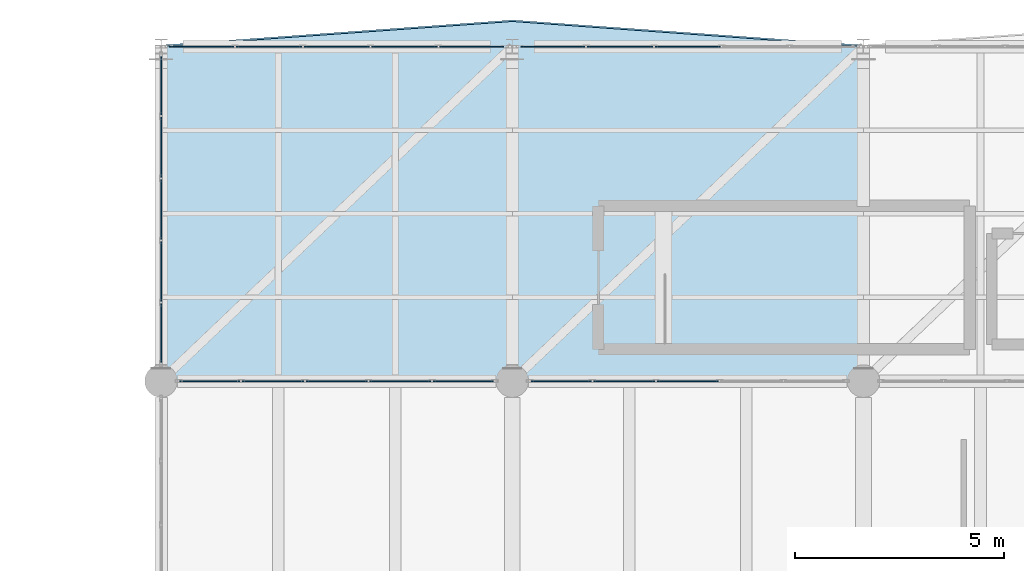
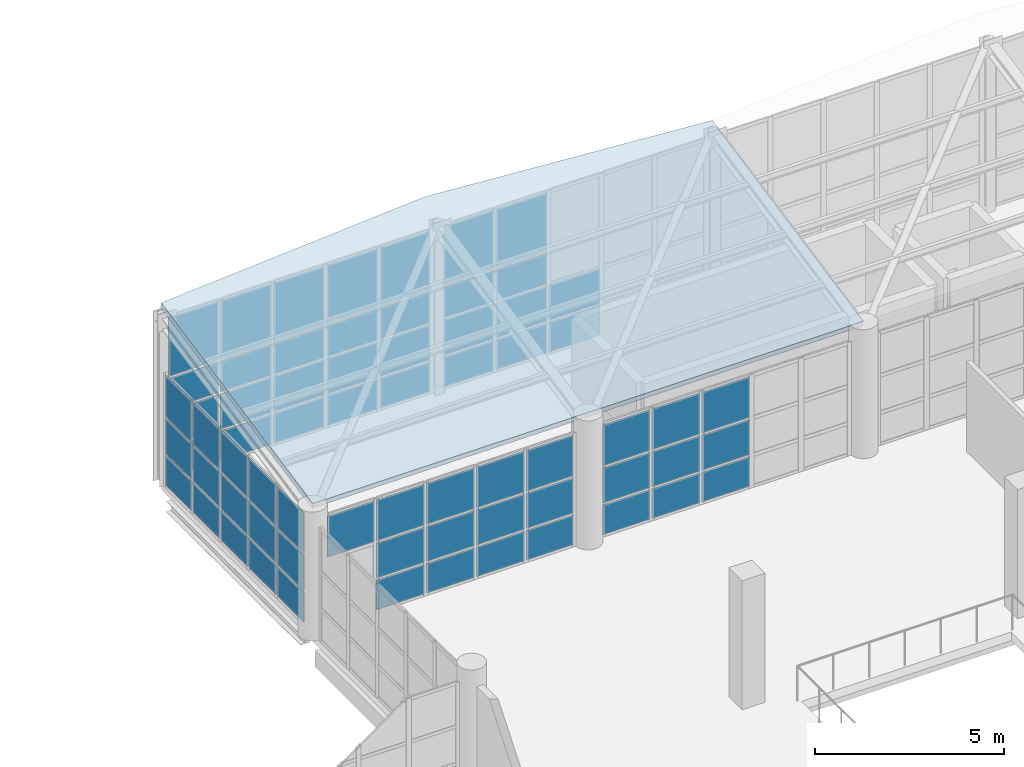
# One storey, part 132 of 177: 67 plates, 1 slab, 5 elements without a shape of their own.
"""IFC4 building model written with IfcOpenShell, lengths in metres."""

import ifcopenshell
import ifcopenshell.guid

model = None  # the IFC model being written
_history = None  # IfcOwnerHistory: only IFC2X3 demands one
_inside = {}  # id of a spatial element -> (the spatial element, [elements in it])
_under = {}  # id of a project, library or spatial element -> (it, [spatial elements below it])
_declared = {}  # id of a project -> (the project, [libraries it declares])
_typed = {}  # id of a type object -> (the type object, [elements of that type])
_made_of = {}  # id of a material, layer set ... -> (it, [elements and type objects made of it])


def new_model(schema):
    """Start an empty IFC model of exactly this schema.

    Asked for "IFC4X3", IfcOpenShell would pick the latest addendum, in which some entities
    have other attributes; the version numbers below select the first issue.
    IFC2X3 requires an IfcOwnerHistory on every rooted entity: one is made here for all.
    """
    global model, _history
    if schema == "IFC4X3":
        model = ifcopenshell.file(schema_version=(4, 3, 0, 0))
    else:
        model = ifcopenshell.file(schema=schema)
    _inside.clear()
    _under.clear()
    _declared.clear()
    _typed.clear()
    _made_of.clear()
    _history = None
    if model.schema == "IFC2X3":
        org = make("IfcOrganization", Name="unknown")
        user = make(
            "IfcPersonAndOrganization",
            ThePerson=make("IfcPerson", FamilyName="unknown"),
            TheOrganization=org,
        )
        app = make(
            "IfcApplication",
            ApplicationDeveloper=org,
            Version="unknown",
            ApplicationFullName="unknown",
            ApplicationIdentifier="unknown",
        )
        _history = make(
            "IfcOwnerHistory",
            OwningUser=user,
            OwningApplication=app,
            ChangeAction="ADDED",
            CreationDate=0,
        )
    return model


def make(cls, **values):
    """One entity of the class cls with the attributes given. An attribute that is None is left unset."""
    return model.create_entity(
        cls, **{name: value for name, value in values.items() if value is not None}
    )


def rooted(cls, **values):
    """An entity with a GlobalId (a new one), such as an element, a storey or a relation."""
    return make(cls, GlobalId=ifcopenshell.guid.new(), OwnerHistory=_history, **values)


def si_unit(unit_type, name, prefix=None):
    """IfcSIUnit, for example si_unit("LENGTHUNIT", "METRE", prefix="MILLI")."""
    return make("IfcSIUnit", UnitType=unit_type, Prefix=prefix, Name=name)


def assignment(units):
    """IfcUnitAssignment: the units of a project."""
    return None if units is None else make("IfcUnitAssignment", Units=units)


def point(xyz):
    """IfcCartesianPoint."""
    return None if xyz is None else make("IfcCartesianPoint", Coordinates=xyz)


def direction(xyz):
    """IfcDirection."""
    return None if xyz is None else make("IfcDirection", DirectionRatios=xyz)


def frame(location, z_axis=None, x_axis=None):
    """IfcAxis2Placement3D, a coordinate frame: its origin and axes. An axis left out is left unset."""
    return make(
        "IfcAxis2Placement3D",
        Location=point(location),
        Axis=direction(z_axis),
        RefDirection=direction(x_axis),
    )


def frame_2d(location, x_axis=None):
    """IfcAxis2Placement2D, a coordinate frame in the plane: its origin and x axis."""
    return make(
        "IfcAxis2Placement2D", Location=point(location), RefDirection=direction(x_axis)
    )


def origin():
    """The frame at (0, 0, 0) with its axes left unset."""
    return frame((0.0, 0.0, 0.0))


def origin_2d():
    """The frame at (0, 0) in the plane with its x axis left unset."""
    return frame_2d((0.0, 0.0))


def place(relative_to, where):
    """IfcLocalPlacement: puts the frame where relative to a parent placement (None: the world)."""
    return make(
        "IfcLocalPlacement", PlacementRelTo=relative_to, RelativePlacement=where
    )


def context(
    kind, dimensions, precision=None, world=None, true_north=None, identifier=None
):
    """IfcGeometricRepresentationContext, for example the 3D "Model" context."""
    return make(
        "IfcGeometricRepresentationContext",
        ContextIdentifier=identifier,
        ContextType=kind,
        CoordinateSpaceDimension=dimensions,
        Precision=precision,
        WorldCoordinateSystem=world,
        TrueNorth=true_north,
    )


def subcontext(parent, identifier, kind, view, scale=None):
    """IfcGeometricRepresentationSubContext, for example "Body" below "Model"."""
    return make(
        "IfcGeometricRepresentationSubContext",
        ContextIdentifier=identifier,
        ContextType=kind,
        ParentContext=parent,
        TargetScale=scale,
        TargetView=view,
    )


def project(units=None, contexts=None):
    """IfcProject with its units and contexts."""
    return rooted(
        "IfcProject",
        Name="project",
        RepresentationContexts=contexts,
        UnitsInContext=assignment(units),
    )


def spatial(cls, under=None, at=None, **own):
    """A site, building, storey or space (cls), placed at a placement, below another one or the project."""
    s = rooted(cls, ObjectPlacement=at, **own)
    if under is not None:
        _under.setdefault(under.id(), (under, []))[1].append(s)
    return s


def polyline(points):
    """IfcPolyline through the points."""
    return make("IfcPolyline", Points=[point(p) for p in points])


def profile(cls, at=None, kind="AREA", **sizes):
    """A parametric profile (cls). Its sizes go by their IFC names, for example OverallWidth=200.0."""
    return make(cls, ProfileType=kind, Position=at, **sizes)


def rectangle(**sizes):
    """IfcRectangleProfileDef."""
    return profile("IfcRectangleProfileDef", **sizes)


def outline(outer, holes=None, kind="AREA"):
    """IfcArbitraryClosedProfileDef: a profile drawn as a closed curve; with holes, ...WithVoids."""
    if holes is None:
        return make("IfcArbitraryClosedProfileDef", ProfileType=kind, OuterCurve=outer)
    return make(
        "IfcArbitraryProfileDefWithVoids",
        ProfileType=kind,
        OuterCurve=outer,
        InnerCurves=holes,
    )


def extrude(swept, where, along, depth):
    """IfcExtrudedAreaSolid: the profile swept, set in the frame where, extruded along a direction by depth."""
    return make(
        "IfcExtrudedAreaSolid",
        SweptArea=swept,
        Position=where,
        ExtrudedDirection=direction(along),
        Depth=depth,
    )


def shape(context_of_items, identifier, shape_type, items):
    """IfcShapeRepresentation: the items that make up one representation, for example the "Body"."""
    return make(
        "IfcShapeRepresentation",
        ContextOfItems=context_of_items,
        RepresentationIdentifier=identifier,
        RepresentationType=shape_type,
        Items=items,
    )


def material(Name=None, Category=None):
    """IfcMaterial."""
    return make("IfcMaterial", Name=Name, Category=Category)


def layer(
    of_material, thickness, ventilated=None, Name=None, Category=None, Priority=None
):
    """IfcMaterialLayer: one layer of a wall or slab, of a material (None: an air gap)."""
    return make(
        "IfcMaterialLayer",
        Material=of_material,
        LayerThickness=thickness,
        IsVentilated=ventilated,
        Name=Name,
        Category=Category,
        Priority=Priority,
    )


def layer_set(layers, Name=None):
    """IfcMaterialLayerSet."""
    return make("IfcMaterialLayerSet", MaterialLayers=layers, LayerSetName=Name)


def made_of(thing, what):
    """Note that an element or type object is made of a material, layer set ...; save() writes the relation."""
    if what is not None:
        _made_of.setdefault(what.id(), (what, []))[1].append(thing)
    return thing


def type_object(cls, material=None, **own):
    """A type object (cls), such as IfcWallType, which elements share."""
    return made_of(rooted(cls, **own), material)


def element(
    cls,
    number,
    at=None,
    inside=None,
    cuts=None,
    type_object=None,
    material=None,
    context=None,
    identifier="Body",
    shape_type=None,
    held_by="IfcProductDefinitionShape",
    body=None,
    shapes=None,
    **own,
):
    """One element of the class cls, such as IfcWall. Its Tag is "e" and its number.

    at: its placement. inside: the storey or other place that contains it. cuts: it is an
    opening in that element (IfcRelVoidsElement). A single representation is given by context,
    identifier, shape_type and body (its items); several are given by shapes. held_by: the class
    of the entity that holds the representations. save() writes the other relations.
    """
    e = rooted(cls, Tag="e%d" % number, ObjectPlacement=at, **own)
    if body is not None:
        shapes = [shape(context, identifier, shape_type, body)]
    if shapes is not None:
        e.Representation = make(held_by, Representations=shapes)
    if inside is not None:
        _inside.setdefault(inside.id(), (inside, []))[1].append(e)
    if cuts is not None:
        rooted(
            "IfcRelVoidsElement", RelatingBuildingElement=cuts, RelatedOpeningElement=e
        )
    if type_object is not None:
        _typed.setdefault(type_object.id(), (type_object, []))[1].append(e)
    return made_of(e, material)


def aggregate(whole, parts):
    """IfcRelAggregates: a whole, such as a stair, and the parts it consists of."""
    return rooted("IfcRelAggregates", RelatingObject=whole, RelatedObjects=parts)


def save(model, path):
    """Write the relations noted so far, then the file.

    IfcRelAggregates (storeys below a building ...), IfcRelContainedInSpatialStructure (elements
    in a storey), IfcRelDefinesByType, IfcRelAssociatesMaterial and IfcRelDeclares: one each for
    every whole, place, type object, material and project.
    """
    for whole, parts in _under.values():
        aggregate(whole, parts)
    for where, things in _inside.values():
        rooted(
            "IfcRelContainedInSpatialStructure",
            RelatedElements=things,
            RelatingStructure=where,
        )
    for kind, things in _typed.values():
        rooted("IfcRelDefinesByType", RelatedObjects=things, RelatingType=kind)
    for what, things in _made_of.values():
        rooted("IfcRelAssociatesMaterial", RelatedObjects=things, RelatingMaterial=what)
    for by, libraries in _declared.values():
        rooted("IfcRelDeclares", RelatingContext=by, RelatedDefinitions=libraries)
    model.write(path)


model = new_model("IFC4")

# Units and contexts
model_context = context("Model", 3, precision=1e-05, world=origin(), true_north=direction((0.0, 1.0)))
body_context = subcontext(model_context, "Body", "Model", "MODEL_VIEW")
ifc_project = project(units=[si_unit("LENGTHUNIT", "METRE"), si_unit("AREAUNIT", "SQUARE_METRE"), si_unit("VOLUMEUNIT", "CUBIC_METRE"), si_unit("PLANEANGLEUNIT", "RADIAN"), si_unit("MASSUNIT", "GRAM", prefix="KILO"), si_unit("THERMODYNAMICTEMPERATUREUNIT", "KELVIN"), si_unit("POWERUNIT", "WATT")], contexts=[model_context])

# Site, building, storey
site_placement = place(None, origin())
site = spatial("IfcSite", under=ifc_project, at=site_placement, CompositionType="ELEMENT")
building_placement = place(site_placement, origin())
building = spatial("IfcBuilding", under=site, at=building_placement, Name="Mavoryth Pier Ferry Terminal", CompositionType="ELEMENT")
storey_placement = place(building_placement, frame((0.0, 0.0, 5.43994140625)))
storey = spatial("IfcBuildingStorey", under=building, at=storey_placement, Name="L01", CompositionType="ELEMENT", Elevation=5.43994140625)

# Curtain wall, plates
ifc_material_1 = material(Name="Anodised Aluminium and Solar-Control Low-E Glass", Category="aluminium")
ifc_layer_1 = layer(ifc_material_1, 0.159912109375, Name="Anodised Aluminium and Solar-Control Low-E Glass", Category="aluminium")
ifc_layer_set_1 = layer_set([ifc_layer_1], Name="Anodised Aluminium and Solar-Control Low-E Glass - CW-Arrivals-Mod1400")
curtain_wall_type_1 = type_object("IfcCurtainWallType", Name="CW-Arrivals-Mod1400", PredefinedType="USERDEFINED", material=ifc_layer_set_1)
curtain_wall_1_placement = place(storey_placement, origin())
curtain_wall_1 = element("IfcCurtainWall", 1, at=curtain_wall_1_placement, inside=storey, type_object=curtain_wall_type_1, Name="Curtain Wall CW-0122-050", ObjectType="UNITISED CURTAIN WALL", PredefinedType="USERDEFINED")
ifc_material_2 = material(Name="Solar-Control Low-E Laminated Double Glazing", Category="glass")
ifc_layer_2 = layer(ifc_material_2, 0.02392578125, Name="Solar-Control Low-E Laminated Double Glazing", Category="glass")
ifc_layer_set_2 = layer_set([ifc_layer_2], Name="Solar-Control Low-E Laminated Double Glazing - Panel-LowE-DGU-24")
plate_type = type_object("IfcPlateType", Name="Panel-LowE-DGU-24", PredefinedType="CURTAIN_PANEL", material=ifc_layer_set_2)
plate_1_placement = place(storey_placement, frame((57.633056640625, 106.0, 0.06005859375), z_axis=(0.0, 0.0, 1.0), x_axis=(-1.0, 0.0, 0.0)))
plate_1 = element("IfcPlate", 2, at=plate_1_placement, type_object=plate_type, Name="CW04 panel 1.1", PredefinedType="CURTAIN_PANEL", context=body_context, shape_type="SweptSolid", body=[
    extrude(rectangle(XDim=1.43408203125, YDim=0.02392578125, at=origin_2d()), origin(), (0.0, 0.0, 1.0), 0.9599609375),
])
plate_2_placement = place(storey_placement, frame((57.633056640625, 106.0, 1.080078125), z_axis=(0.0, 0.0, 1.0), x_axis=(-1.0, 0.0, 0.0)))
plate_2 = element("IfcPlate", 3, at=plate_2_placement, type_object=plate_type, Name="CW04 panel 1.2", PredefinedType="CURTAIN_PANEL", context=body_context, shape_type="SweptSolid", body=[
    extrude(rectangle(XDim=1.43408203125, YDim=0.02392578125, at=origin_2d()), origin(), (0.0, 0.0, 1.0), 1.139892578125),
])
plate_3_placement = place(storey_placement, frame((57.633056640625, 106.0, 2.27978515625), z_axis=(0.0, 0.0, 1.0), x_axis=(-1.0, 0.0, 0.0)))
plate_3 = element("IfcPlate", 4, at=plate_3_placement, type_object=plate_type, Name="CW04 panel 1.3", PredefinedType="CURTAIN_PANEL", context=body_context, shape_type="SweptSolid", body=[
    extrude(rectangle(XDim=1.43408203125, YDim=0.02392578125, at=origin_2d()), origin(), (0.0, 0.0, 1.0), 1.320068359375),
])
plate_4_placement = place(storey_placement, frame((56.1240234375, 106.0, 0.06005859375), z_axis=(0.0, 0.0, 1.0), x_axis=(-1.0, 0.0, 0.0)))
plate_4 = element("IfcPlate", 5, at=plate_4_placement, type_object=plate_type, Name="CW04 panel 2.1", PredefinedType="CURTAIN_PANEL", context=body_context, shape_type="SweptSolid", body=[
    extrude(rectangle(XDim=1.464111328125, YDim=0.02392578125, at=origin_2d()), origin(), (0.0, 0.0, 1.0), 0.9599609375),
])
plate_5_placement = place(storey_placement, frame((56.1240234375, 106.0, 1.080078125), z_axis=(0.0, 0.0, 1.0), x_axis=(-1.0, 0.0, 0.0)))
plate_5 = element("IfcPlate", 6, at=plate_5_placement, type_object=plate_type, Name="CW04 panel 2.2", PredefinedType="CURTAIN_PANEL", context=body_context, shape_type="SweptSolid", body=[
    extrude(rectangle(XDim=1.464111328125, YDim=0.02392578125, at=origin_2d()), origin(), (0.0, 0.0, 1.0), 1.139892578125),
])
plate_6_placement = place(storey_placement, frame((56.1240234375, 106.0, 2.27978515625), z_axis=(0.0, 0.0, 1.0), x_axis=(-1.0, 0.0, 0.0)))
plate_6 = element("IfcPlate", 7, at=plate_6_placement, type_object=plate_type, Name="CW04 panel 2.3", PredefinedType="CURTAIN_PANEL", context=body_context, shape_type="SweptSolid", body=[
    extrude(rectangle(XDim=1.464111328125, YDim=0.02392578125, at=origin_2d()), origin(), (0.0, 0.0, 1.0), 1.320068359375),
])
plate_7_placement = place(storey_placement, frame((54.60009765625, 106.0, 0.06005859375), z_axis=(0.0, 0.0, 1.0), x_axis=(-1.0, 0.0, 0.0)))
plate_7 = element("IfcPlate", 8, at=plate_7_placement, type_object=plate_type, Name="CW04 panel 3.1", PredefinedType="CURTAIN_PANEL", context=body_context, shape_type="SweptSolid", body=[
    extrude(rectangle(XDim=1.464111328125, YDim=0.02392578125, at=origin_2d()), origin(), (0.0, 0.0, 1.0), 0.9599609375),
])
plate_8_placement = place(storey_placement, frame((54.60009765625, 106.0, 1.080078125), z_axis=(0.0, 0.0, 1.0), x_axis=(-1.0, 0.0, 0.0)))
plate_8 = element("IfcPlate", 9, at=plate_8_placement, type_object=plate_type, Name="CW04 panel 3.2", PredefinedType="CURTAIN_PANEL", context=body_context, shape_type="SweptSolid", body=[
    extrude(rectangle(XDim=1.464111328125, YDim=0.02392578125, at=origin_2d()), origin(), (0.0, 0.0, 1.0), 1.139892578125),
])
plate_9_placement = place(storey_placement, frame((54.60009765625, 106.0, 2.27978515625), z_axis=(0.0, 0.0, 1.0), x_axis=(-1.0, 0.0, 0.0)))
plate_9 = element("IfcPlate", 10, at=plate_9_placement, type_object=plate_type, Name="CW04 panel 3.3", PredefinedType="CURTAIN_PANEL", context=body_context, shape_type="SweptSolid", body=[
    extrude(rectangle(XDim=1.464111328125, YDim=0.02392578125, at=origin_2d()), origin(), (0.0, 0.0, 1.0), 1.320068359375),
])
plate_10_placement = place(storey_placement, frame((53.075927734375, 106.0, 0.06005859375), z_axis=(0.0, 0.0, 1.0), x_axis=(-1.0, 0.0, 0.0)))
plate_10 = element("IfcPlate", 11, at=plate_10_placement, type_object=plate_type, Name="CW04 panel 4.1", PredefinedType="CURTAIN_PANEL", context=body_context, shape_type="SweptSolid", body=[
    extrude(rectangle(XDim=1.464111328125, YDim=0.02392578125, at=origin_2d()), origin(), (0.0, 0.0, 1.0), 0.9599609375),
])
plate_11_placement = place(storey_placement, frame((53.075927734375, 106.0, 1.080078125), z_axis=(0.0, 0.0, 1.0), x_axis=(-1.0, 0.0, 0.0)))
plate_11 = element("IfcPlate", 12, at=plate_11_placement, type_object=plate_type, Name="CW04 panel 4.2", PredefinedType="CURTAIN_PANEL", context=body_context, shape_type="SweptSolid", body=[
    extrude(rectangle(XDim=1.464111328125, YDim=0.02392578125, at=origin_2d()), origin(), (0.0, 0.0, 1.0), 1.139892578125),
])
plate_12_placement = place(storey_placement, frame((53.075927734375, 106.0, 2.27978515625), z_axis=(0.0, 0.0, 1.0), x_axis=(-1.0, 0.0, 0.0)))
plate_12 = element("IfcPlate", 13, at=plate_12_placement, type_object=plate_type, Name="CW04 panel 4.3", PredefinedType="CURTAIN_PANEL", context=body_context, shape_type="SweptSolid", body=[
    extrude(rectangle(XDim=1.464111328125, YDim=0.02392578125, at=origin_2d()), origin(), (0.0, 0.0, 1.0), 1.320068359375),
])
plate_13_placement = place(storey_placement, frame((51.56689453125, 106.0, 2.27978515625), z_axis=(0.0, 0.0, 1.0), x_axis=(-1.0, 0.0, 0.0)))
plate_13 = element("IfcPlate", 14, at=plate_13_placement, type_object=plate_type, Name="CW04 panel 5.3", PredefinedType="CURTAIN_PANEL", context=body_context, shape_type="SweptSolid", body=[
    extrude(rectangle(XDim=1.43408203125, YDim=0.02392578125, at=origin_2d()), origin(), (0.0, 0.0, 1.0), 1.320068359375),
])
aggregate(curtain_wall_1, [plate_1, plate_2, plate_3, plate_4, plate_5, plate_6, plate_7, plate_8, plate_9, plate_10, plate_11, plate_12, plate_13])

curtain_wall_2_placement = place(storey_placement, origin())
curtain_wall_2 = element("IfcCurtainWall", 15, at=curtain_wall_2_placement, inside=storey, type_object=curtain_wall_type_1, Name="Curtain Wall CW-0122-052", ObjectType="UNITISED CURTAIN WALL", PredefinedType="USERDEFINED")
plate_14_placement = place(storey_placement, frame((63.0, 106.0, 0.06005859375), z_axis=(0.0, 0.0, 1.0), x_axis=(-1.0, 0.0, 0.0)))
plate_14 = element("IfcPlate", 16, at=plate_14_placement, type_object=plate_type, Name="CW04 panel 3.1", PredefinedType="CURTAIN_PANEL", context=body_context, shape_type="SweptSolid", body=[
    extrude(rectangle(XDim=1.464111328125, YDim=0.02392578125, at=origin_2d()), origin(), (0.0, 0.0, 1.0), 0.9599609375),
])
plate_15_placement = place(storey_placement, frame((63.0, 106.0, 1.080078125), z_axis=(0.0, 0.0, 1.0), x_axis=(-1.0, 0.0, 0.0)))
plate_15 = element("IfcPlate", 17, at=plate_15_placement, type_object=plate_type, Name="CW04 panel 3.2", PredefinedType="CURTAIN_PANEL", context=body_context, shape_type="SweptSolid", body=[
    extrude(rectangle(XDim=1.464111328125, YDim=0.02392578125, at=origin_2d()), origin(), (0.0, 0.0, 1.0), 1.139892578125),
])
plate_16_placement = place(storey_placement, frame((63.0, 106.0, 2.27978515625), z_axis=(0.0, 0.0, 1.0), x_axis=(-1.0, 0.0, 0.0)))
plate_16 = element("IfcPlate", 18, at=plate_16_placement, type_object=plate_type, Name="CW04 panel 3.3", PredefinedType="CURTAIN_PANEL", context=body_context, shape_type="SweptSolid", body=[
    extrude(rectangle(XDim=1.464111328125, YDim=0.02392578125, at=origin_2d()), origin(), (0.0, 0.0, 1.0), 1.320068359375),
])
plate_17_placement = place(storey_placement, frame((61.47607421875, 106.0, 0.06005859375), z_axis=(0.0, 0.0, 1.0), x_axis=(-1.0, 0.0, 0.0)))
plate_17 = element("IfcPlate", 19, at=plate_17_placement, type_object=plate_type, Name="CW04 panel 4.1", PredefinedType="CURTAIN_PANEL", context=body_context, shape_type="SweptSolid", body=[
    extrude(rectangle(XDim=1.464111328125, YDim=0.02392578125, at=origin_2d()), origin(), (0.0, 0.0, 1.0), 0.9599609375),
])
plate_18_placement = place(storey_placement, frame((61.47607421875, 106.0, 1.080078125), z_axis=(0.0, 0.0, 1.0), x_axis=(-1.0, 0.0, 0.0)))
plate_18 = element("IfcPlate", 20, at=plate_18_placement, type_object=plate_type, Name="CW04 panel 4.2", PredefinedType="CURTAIN_PANEL", context=body_context, shape_type="SweptSolid", body=[
    extrude(rectangle(XDim=1.464111328125, YDim=0.02392578125, at=origin_2d()), origin(), (0.0, 0.0, 1.0), 1.139892578125),
])
plate_19_placement = place(storey_placement, frame((61.47607421875, 106.0, 2.27978515625), z_axis=(0.0, 0.0, 1.0), x_axis=(-1.0, 0.0, 0.0)))
plate_19 = element("IfcPlate", 21, at=plate_19_placement, type_object=plate_type, Name="CW04 panel 4.3", PredefinedType="CURTAIN_PANEL", context=body_context, shape_type="SweptSolid", body=[
    extrude(rectangle(XDim=1.464111328125, YDim=0.02392578125, at=origin_2d()), origin(), (0.0, 0.0, 1.0), 1.320068359375),
])
plate_20_placement = place(storey_placement, frame((59.967041015625, 106.0, 0.06005859375), z_axis=(0.0, 0.0, 1.0), x_axis=(-1.0, 0.0, 0.0)))
plate_20 = element("IfcPlate", 22, at=plate_20_placement, type_object=plate_type, Name="CW04 panel 5.1", PredefinedType="CURTAIN_PANEL", context=body_context, shape_type="SweptSolid", body=[
    extrude(rectangle(XDim=1.43408203125, YDim=0.02392578125, at=origin_2d()), origin(), (0.0, 0.0, 1.0), 0.9599609375),
])
plate_21_placement = place(storey_placement, frame((59.967041015625, 106.0, 1.080078125), z_axis=(0.0, 0.0, 1.0), x_axis=(-1.0, 0.0, 0.0)))
plate_21 = element("IfcPlate", 23, at=plate_21_placement, type_object=plate_type, Name="CW04 panel 5.2", PredefinedType="CURTAIN_PANEL", context=body_context, shape_type="SweptSolid", body=[
    extrude(rectangle(XDim=1.43408203125, YDim=0.02392578125, at=origin_2d()), origin(), (0.0, 0.0, 1.0), 1.139892578125),
])
plate_22_placement = place(storey_placement, frame((59.967041015625, 106.0, 2.27978515625), z_axis=(0.0, 0.0, 1.0), x_axis=(-1.0, 0.0, 0.0)))
plate_22 = element("IfcPlate", 24, at=plate_22_placement, type_object=plate_type, Name="CW04 panel 5.3", PredefinedType="CURTAIN_PANEL", context=body_context, shape_type="SweptSolid", body=[
    extrude(rectangle(XDim=1.43408203125, YDim=0.02392578125, at=origin_2d()), origin(), (0.0, 0.0, 1.0), 1.320068359375),
])
aggregate(curtain_wall_2, [plate_14, plate_15, plate_16, plate_17, plate_18, plate_19, plate_20, plate_21, plate_22])

ifc_layer_3 = layer(ifc_material_1, 0.139892578125, Name="Anodised Aluminium and Solar-Control Low-E Glass", Category="aluminium")
ifc_layer_set_3 = layer_set([ifc_layer_3], Name="Anodised Aluminium and Solar-Control Low-E Glass - CW-Gallery-Mod1600")
curtain_wall_type_2 = type_object("IfcCurtainWallType", Name="CW-Gallery-Mod1600", PredefinedType="USERDEFINED", material=ifc_layer_set_3)
curtain_wall_3_placement = place(storey_placement, origin())
curtain_wall_3 = element("IfcCurtainWall", 25, at=curtain_wall_3_placement, inside=storey, type_object=curtain_wall_type_2, Name="Curtain Wall CW-0122-077", ObjectType="UNITISED CURTAIN WALL", PredefinedType="USERDEFINED")
plate_23_placement = place(storey_placement, frame((57.824951171875, 114.0, 0.06005859375), z_axis=(0.0, 0.0, 1.0), x_axis=(-1.0, 0.0, 0.0)))
plate_23 = element("IfcPlate", 26, at=plate_23_placement, type_object=plate_type, Name="CW05 panel 1.1", PredefinedType="CURTAIN_PANEL", context=body_context, shape_type="SweptSolid", body=[
    extrude(rectangle(XDim=1.530029296875, YDim=0.02392578125, at=origin_2d()), origin(), (0.0, 0.0, 1.0), 0.9599609375),
])
plate_24_placement = place(storey_placement, frame((57.824951171875, 114.0, 1.080078125), z_axis=(0.0, 0.0, 1.0), x_axis=(-1.0, 0.0, 0.0)))
plate_24 = element("IfcPlate", 27, at=plate_24_placement, type_object=plate_type, Name="CW05 panel 1.2", PredefinedType="CURTAIN_PANEL", context=body_context, shape_type="SweptSolid", body=[
    extrude(rectangle(XDim=1.530029296875, YDim=0.02392578125, at=origin_2d()), origin(), (0.0, 0.0, 1.0), 1.139892578125),
])
plate_25_placement = place(storey_placement, frame((57.824951171875, 114.0, 2.2802734375), z_axis=(0.0, 0.0, 1.0), x_axis=(-1.0, 0.0, 0.0)))
plate_25 = element("IfcPlate", 28, at=plate_25_placement, type_object=plate_type, Name="CW05 panel 1.3", PredefinedType="CURTAIN_PANEL", context=body_context, shape_type="SweptSolid", body=[
    extrude(rectangle(XDim=1.530029296875, YDim=0.02392578125, at=origin_2d()), origin(), (0.0, 0.0, 1.0), 0.989990234375),
])
plate_26_placement = place(storey_placement, frame((57.824951171875, 114.0, 3.330078125), z_axis=(0.0, 0.0, 1.0), x_axis=(-1.0, 0.0, 0.0)))
plate_26 = element("IfcPlate", 29, at=plate_26_placement, type_object=plate_type, Name="CW05 panel 1.4", PredefinedType="CURTAIN_PANEL", context=body_context, shape_type="SweptSolid", body=[
    extrude(rectangle(XDim=1.530029296875, YDim=0.02392578125, at=origin_2d()), origin(), (0.0, 0.0, 1.0), 1.897705078125),
])
plate_27_placement = place(storey_placement, frame((56.219970703125, 114.0, 0.06005859375), z_axis=(0.0, 0.0, 1.0), x_axis=(-1.0, 0.0, 0.0)))
plate_27 = element("IfcPlate", 30, at=plate_27_placement, type_object=plate_type, Name="CW05 panel 2.1", PredefinedType="CURTAIN_PANEL", context=body_context, shape_type="SweptSolid", body=[
    extrude(rectangle(XDim=1.56005859375, YDim=0.02392578125, at=origin_2d()), origin(), (0.0, 0.0, 1.0), 0.9599609375),
])
plate_28_placement = place(storey_placement, frame((56.219970703125, 114.0, 1.080078125), z_axis=(0.0, 0.0, 1.0), x_axis=(-1.0, 0.0, 0.0)))
plate_28 = element("IfcPlate", 31, at=plate_28_placement, type_object=plate_type, Name="CW05 panel 2.2", PredefinedType="CURTAIN_PANEL", context=body_context, shape_type="SweptSolid", body=[
    extrude(rectangle(XDim=1.56005859375, YDim=0.02392578125, at=origin_2d()), origin(), (0.0, 0.0, 1.0), 1.139892578125),
])
plate_29_placement = place(storey_placement, frame((56.219970703125, 114.0, 2.2802734375), z_axis=(0.0, 0.0, 1.0), x_axis=(-1.0, 0.0, 0.0)))
plate_29 = element("IfcPlate", 32, at=plate_29_placement, type_object=plate_type, Name="CW05 panel 2.3", PredefinedType="CURTAIN_PANEL", context=body_context, shape_type="SweptSolid", body=[
    extrude(rectangle(XDim=1.56005859375, YDim=0.02392578125, at=origin_2d()), origin(), (0.0, 0.0, 1.0), 0.989990234375),
])
plate_30_placement = place(storey_placement, frame((56.219970703125, 114.0, 3.330078125), z_axis=(0.0, 0.0, 1.0), x_axis=(-1.0, 0.0, 0.0)))
plate_30 = element("IfcPlate", 33, at=plate_30_placement, type_object=plate_type, Name="CW05 panel 2.4", PredefinedType="CURTAIN_PANEL", context=body_context, shape_type="SweptSolid", body=[
    extrude(rectangle(XDim=1.56005859375, YDim=0.02392578125, at=origin_2d()), origin(), (0.0, 0.0, 1.0), 1.897705078125),
])
plate_31_placement = place(storey_placement, frame((54.60009765625, 114.0, 0.06005859375), z_axis=(0.0, 0.0, 1.0), x_axis=(-1.0, 0.0, 0.0)))
plate_31 = element("IfcPlate", 34, at=plate_31_placement, type_object=plate_type, Name="CW05 panel 3.1", PredefinedType="CURTAIN_PANEL", context=body_context, shape_type="SweptSolid", body=[
    extrude(rectangle(XDim=1.56005859375, YDim=0.02392578125, at=origin_2d()), origin(), (0.0, 0.0, 1.0), 0.9599609375),
])
plate_32_placement = place(storey_placement, frame((54.60009765625, 114.0, 1.080078125), z_axis=(0.0, 0.0, 1.0), x_axis=(-1.0, 0.0, 0.0)))
plate_32 = element("IfcPlate", 35, at=plate_32_placement, type_object=plate_type, Name="CW05 panel 3.2", PredefinedType="CURTAIN_PANEL", context=body_context, shape_type="SweptSolid", body=[
    extrude(rectangle(XDim=1.56005859375, YDim=0.02392578125, at=origin_2d()), origin(), (0.0, 0.0, 1.0), 1.139892578125),
])
plate_33_placement = place(storey_placement, frame((54.60009765625, 114.0, 2.2802734375), z_axis=(0.0, 0.0, 1.0), x_axis=(-1.0, 0.0, 0.0)))
plate_33 = element("IfcPlate", 36, at=plate_33_placement, type_object=plate_type, Name="CW05 panel 3.3", PredefinedType="CURTAIN_PANEL", context=body_context, shape_type="SweptSolid", body=[
    extrude(rectangle(XDim=1.56005859375, YDim=0.02392578125, at=origin_2d()), origin(), (0.0, 0.0, 1.0), 0.989990234375),
])
plate_34_placement = place(storey_placement, frame((54.60009765625, 114.0, 3.330078125), z_axis=(0.0, 0.0, 1.0), x_axis=(-1.0, 0.0, 0.0)))
plate_34 = element("IfcPlate", 37, at=plate_34_placement, type_object=plate_type, Name="CW05 panel 3.4", PredefinedType="CURTAIN_PANEL", context=body_context, shape_type="SweptSolid", body=[
    extrude(rectangle(XDim=1.56005859375, YDim=0.02392578125, at=origin_2d()), origin(), (0.0, 0.0, 1.0), 1.897705078125),
])
plate_35_placement = place(storey_placement, frame((52.97998046875, 114.0, 0.06005859375), z_axis=(0.0, 0.0, 1.0), x_axis=(-1.0, 0.0, 0.0)))
plate_35 = element("IfcPlate", 38, at=plate_35_placement, type_object=plate_type, Name="CW05 panel 4.1", PredefinedType="CURTAIN_PANEL", context=body_context, shape_type="SweptSolid", body=[
    extrude(rectangle(XDim=1.56005859375, YDim=0.02392578125, at=origin_2d()), origin(), (0.0, 0.0, 1.0), 0.9599609375),
])
plate_36_placement = place(storey_placement, frame((52.97998046875, 114.0, 1.080078125), z_axis=(0.0, 0.0, 1.0), x_axis=(-1.0, 0.0, 0.0)))
plate_36 = element("IfcPlate", 39, at=plate_36_placement, type_object=plate_type, Name="CW05 panel 4.2", PredefinedType="CURTAIN_PANEL", context=body_context, shape_type="SweptSolid", body=[
    extrude(rectangle(XDim=1.56005859375, YDim=0.02392578125, at=origin_2d()), origin(), (0.0, 0.0, 1.0), 1.139892578125),
])
plate_37_placement = place(storey_placement, frame((52.97998046875, 114.0, 2.2802734375), z_axis=(0.0, 0.0, 1.0), x_axis=(-1.0, 0.0, 0.0)))
plate_37 = element("IfcPlate", 40, at=plate_37_placement, type_object=plate_type, Name="CW05 panel 4.3", PredefinedType="CURTAIN_PANEL", context=body_context, shape_type="SweptSolid", body=[
    extrude(rectangle(XDim=1.56005859375, YDim=0.02392578125, at=origin_2d()), origin(), (0.0, 0.0, 1.0), 0.989990234375),
])
plate_38_placement = place(storey_placement, frame((52.97998046875, 114.0, 3.330078125), z_axis=(0.0, 0.0, 1.0), x_axis=(-1.0, 0.0, 0.0)))
plate_38 = element("IfcPlate", 41, at=plate_38_placement, type_object=plate_type, Name="CW05 panel 4.4", PredefinedType="CURTAIN_PANEL", context=body_context, shape_type="SweptSolid", body=[
    extrude(rectangle(XDim=1.56005859375, YDim=0.02392578125, at=origin_2d()), origin(), (0.0, 0.0, 1.0), 1.897705078125),
])
plate_39_placement = place(storey_placement, frame((51.375, 114.0, 0.06005859375), z_axis=(0.0, 0.0, 1.0), x_axis=(-1.0, 0.0, 0.0)))
plate_39 = element("IfcPlate", 42, at=plate_39_placement, type_object=plate_type, Name="CW05 panel 5.1", PredefinedType="CURTAIN_PANEL", context=body_context, shape_type="SweptSolid", body=[
    extrude(rectangle(XDim=1.530029296875, YDim=0.02392578125, at=origin_2d()), origin(), (0.0, 0.0, 1.0), 0.9599609375),
])
plate_40_placement = place(storey_placement, frame((51.375, 114.0, 1.080078125), z_axis=(0.0, 0.0, 1.0), x_axis=(-1.0, 0.0, 0.0)))
plate_40 = element("IfcPlate", 43, at=plate_40_placement, type_object=plate_type, Name="CW05 panel 5.2", PredefinedType="CURTAIN_PANEL", context=body_context, shape_type="SweptSolid", body=[
    extrude(rectangle(XDim=1.530029296875, YDim=0.02392578125, at=origin_2d()), origin(), (0.0, 0.0, 1.0), 1.139892578125),
])
plate_41_placement = place(storey_placement, frame((51.375, 114.0, 2.2802734375), z_axis=(0.0, 0.0, 1.0), x_axis=(-1.0, 0.0, 0.0)))
plate_41 = element("IfcPlate", 44, at=plate_41_placement, type_object=plate_type, Name="CW05 panel 5.3", PredefinedType="CURTAIN_PANEL", context=body_context, shape_type="SweptSolid", body=[
    extrude(rectangle(XDim=1.530029296875, YDim=0.02392578125, at=origin_2d()), origin(), (0.0, 0.0, 1.0), 0.989990234375),
])
plate_42_placement = place(storey_placement, frame((51.375, 114.0, 3.330078125), z_axis=(0.0, 0.0, 1.0), x_axis=(-1.0, 0.0, 0.0)))
plate_42 = element("IfcPlate", 45, at=plate_42_placement, type_object=plate_type, Name="CW05 panel 5.4", PredefinedType="CURTAIN_PANEL", context=body_context, shape_type="SweptSolid", body=[
    extrude(rectangle(XDim=1.530029296875, YDim=0.02392578125, at=origin_2d()), origin(), (0.0, 0.0, 1.0), 1.897705078125),
])
aggregate(curtain_wall_3, [plate_23, plate_24, plate_25, plate_26, plate_27, plate_28, plate_29, plate_30, plate_31, plate_32, plate_33, plate_34, plate_35, plate_36, plate_37, plate_38, plate_39, plate_40, plate_41, plate_42])

curtain_wall_4_placement = place(storey_placement, origin())
curtain_wall_4 = element("IfcCurtainWall", 46, at=curtain_wall_4_placement, inside=storey, type_object=curtain_wall_type_2, Name="Curtain Wall CW-0122-078", ObjectType="UNITISED CURTAIN WALL", PredefinedType="USERDEFINED")
plate_43_placement = place(storey_placement, frame((63.0, 114.0, 0.06005859375), z_axis=(0.0, 0.0, 1.0), x_axis=(-1.0, 0.0, 0.0)))
plate_43 = element("IfcPlate", 47, at=plate_43_placement, type_object=plate_type, Name="CW05 panel 3.1", PredefinedType="CURTAIN_PANEL", context=body_context, shape_type="SweptSolid", body=[
    extrude(rectangle(XDim=1.56005859375, YDim=0.02392578125, at=origin_2d()), origin(), (0.0, 0.0, 1.0), 0.9599609375),
])
plate_44_placement = place(storey_placement, frame((63.0, 114.0, 1.080078125), z_axis=(0.0, 0.0, 1.0), x_axis=(-1.0, 0.0, 0.0)))
plate_44 = element("IfcPlate", 48, at=plate_44_placement, type_object=plate_type, Name="CW05 panel 3.2", PredefinedType="CURTAIN_PANEL", context=body_context, shape_type="SweptSolid", body=[
    extrude(rectangle(XDim=1.56005859375, YDim=0.02392578125, at=origin_2d()), origin(), (0.0, 0.0, 1.0), 1.139892578125),
])
plate_45_placement = place(storey_placement, frame((61.3798828125, 114.0, 0.06005859375), z_axis=(0.0, 0.0, 1.0), x_axis=(-1.0, 0.0, 0.0)))
plate_45 = element("IfcPlate", 49, at=plate_45_placement, type_object=plate_type, Name="CW05 panel 4.1", PredefinedType="CURTAIN_PANEL", context=body_context, shape_type="SweptSolid", body=[
    extrude(rectangle(XDim=1.56005859375, YDim=0.02392578125, at=origin_2d()), origin(), (0.0, 0.0, 1.0), 0.9599609375),
])
plate_46_placement = place(storey_placement, frame((61.3798828125, 114.0, 1.080078125), z_axis=(0.0, 0.0, 1.0), x_axis=(-1.0, 0.0, 0.0)))
plate_46 = element("IfcPlate", 50, at=plate_46_placement, type_object=plate_type, Name="CW05 panel 4.2", PredefinedType="CURTAIN_PANEL", context=body_context, shape_type="SweptSolid", body=[
    extrude(rectangle(XDim=1.56005859375, YDim=0.02392578125, at=origin_2d()), origin(), (0.0, 0.0, 1.0), 1.139892578125),
])
plate_47_placement = place(storey_placement, frame((61.3798828125, 114.0, 2.2802734375), z_axis=(0.0, 0.0, 1.0), x_axis=(-1.0, 0.0, 0.0)))
plate_47 = element("IfcPlate", 51, at=plate_47_placement, type_object=plate_type, Name="CW05 panel 4.3", PredefinedType="CURTAIN_PANEL", context=body_context, shape_type="SweptSolid", body=[
    extrude(rectangle(XDim=1.56005859375, YDim=0.02392578125, at=origin_2d()), origin(), (0.0, 0.0, 1.0), 0.989990234375),
])
plate_48_placement = place(storey_placement, frame((61.3798828125, 114.0, 3.330078125), z_axis=(0.0, 0.0, 1.0), x_axis=(-1.0, 0.0, 0.0)))
plate_48 = element("IfcPlate", 52, at=plate_48_placement, type_object=plate_type, Name="CW05 panel 4.4", PredefinedType="CURTAIN_PANEL", context=body_context, shape_type="SweptSolid", body=[
    extrude(rectangle(XDim=1.56005859375, YDim=0.02392578125, at=origin_2d()), origin(), (0.0, 0.0, 1.0), 1.897705078125),
])
plate_49_placement = place(storey_placement, frame((59.77490234375, 114.0, 0.06005859375), z_axis=(0.0, 0.0, 1.0), x_axis=(-1.0, 0.0, 0.0)))
plate_49 = element("IfcPlate", 53, at=plate_49_placement, type_object=plate_type, Name="CW05 panel 5.1", PredefinedType="CURTAIN_PANEL", context=body_context, shape_type="SweptSolid", body=[
    extrude(rectangle(XDim=1.530029296875, YDim=0.02392578125, at=origin_2d()), origin(), (0.0, 0.0, 1.0), 0.9599609375),
])
plate_50_placement = place(storey_placement, frame((59.77490234375, 114.0, 1.080078125), z_axis=(0.0, 0.0, 1.0), x_axis=(-1.0, 0.0, 0.0)))
plate_50 = element("IfcPlate", 54, at=plate_50_placement, type_object=plate_type, Name="CW05 panel 5.2", PredefinedType="CURTAIN_PANEL", context=body_context, shape_type="SweptSolid", body=[
    extrude(rectangle(XDim=1.530029296875, YDim=0.02392578125, at=origin_2d()), origin(), (0.0, 0.0, 1.0), 1.139892578125),
])
plate_51_placement = place(storey_placement, frame((59.77490234375, 114.0, 2.2802734375), z_axis=(0.0, 0.0, 1.0), x_axis=(-1.0, 0.0, 0.0)))
plate_51 = element("IfcPlate", 55, at=plate_51_placement, type_object=plate_type, Name="CW05 panel 5.3", PredefinedType="CURTAIN_PANEL", context=body_context, shape_type="SweptSolid", body=[
    extrude(rectangle(XDim=1.530029296875, YDim=0.02392578125, at=origin_2d()), origin(), (0.0, 0.0, 1.0), 0.989990234375),
])
plate_52_placement = place(storey_placement, frame((59.77490234375, 114.0, 3.330078125), z_axis=(0.0, 0.0, 1.0), x_axis=(-1.0, 0.0, 0.0)))
plate_52 = element("IfcPlate", 56, at=plate_52_placement, type_object=plate_type, Name="CW05 panel 5.4", PredefinedType="CURTAIN_PANEL", context=body_context, shape_type="SweptSolid", body=[
    extrude(rectangle(XDim=1.530029296875, YDim=0.02392578125, at=origin_2d()), origin(), (0.0, 0.0, 1.0), 1.897705078125),
])
aggregate(curtain_wall_4, [plate_43, plate_44, plate_45, plate_46, plate_47, plate_48, plate_49, plate_50, plate_51, plate_52])

curtain_wall_5_placement = place(storey_placement, origin())
curtain_wall_5 = element("IfcCurtainWall", 57, at=curtain_wall_5_placement, inside=storey, type_object=curtain_wall_type_2, Name="Curtain Wall CW-0122-096", ObjectType="UNITISED CURTAIN WALL", PredefinedType="USERDEFINED")
plate_53_placement = place(storey_placement, frame((50.39990234375, 113.06201171875, 0.06005859375), z_axis=(0.0, 0.0, 1.0), x_axis=(0.0, -1.0, 0.0)))
plate_53 = element("IfcPlate", 58, at=plate_53_placement, type_object=plate_type, Name="CW05 panel 1.1", PredefinedType="CURTAIN_PANEL", context=body_context, shape_type="SweptSolid", body=[
    extrude(rectangle(XDim=1.39599609375, YDim=0.02392578125, at=origin_2d()), origin(), (0.0, 0.0, 1.0), 0.9599609375),
])
plate_54_placement = place(storey_placement, frame((50.39990234375, 113.06201171875, 1.080078125), z_axis=(0.0, 0.0, 1.0), x_axis=(0.0, -1.0, 0.0)))
plate_54 = element("IfcPlate", 59, at=plate_54_placement, type_object=plate_type, Name="CW05 panel 1.2", PredefinedType="CURTAIN_PANEL", context=body_context, shape_type="SweptSolid", body=[
    extrude(rectangle(XDim=1.39599609375, YDim=0.02392578125, at=origin_2d()), origin(), (0.0, 0.0, 1.0), 1.139892578125),
])
plate_55_placement = place(storey_placement, frame((50.39990234375, 113.06201171875, 2.27978515625), z_axis=(0.0, 0.0, 1.0), x_axis=(0.0, -1.0, 0.0)))
plate_55 = element("IfcPlate", 60, at=plate_55_placement, type_object=plate_type, Name="CW05 panel 1.3", PredefinedType="CURTAIN_PANEL", context=body_context, shape_type="SweptSolid", body=[
    extrude(rectangle(XDim=1.39599609375, YDim=0.02392578125, at=origin_2d()), origin(), (0.0, 0.0, 1.0), 1.320068359375),
])
plate_56_placement = place(storey_placement, frame((50.39990234375, 111.591064453125, 0.06005859375), z_axis=(0.0, 0.0, 1.0), x_axis=(0.0, -1.0, 0.0)))
plate_56 = element("IfcPlate", 61, at=plate_56_placement, type_object=plate_type, Name="CW05 panel 2.1", PredefinedType="CURTAIN_PANEL", context=body_context, shape_type="SweptSolid", body=[
    extrude(rectangle(XDim=1.426025390625, YDim=0.02392578125, at=origin_2d()), origin(), (0.0, 0.0, 1.0), 0.9599609375),
])
plate_57_placement = place(storey_placement, frame((50.39990234375, 111.591064453125, 1.080078125), z_axis=(0.0, 0.0, 1.0), x_axis=(0.0, -1.0, 0.0)))
plate_57 = element("IfcPlate", 62, at=plate_57_placement, type_object=plate_type, Name="CW05 panel 2.2", PredefinedType="CURTAIN_PANEL", context=body_context, shape_type="SweptSolid", body=[
    extrude(rectangle(XDim=1.426025390625, YDim=0.02392578125, at=origin_2d()), origin(), (0.0, 0.0, 1.0), 1.139892578125),
])
plate_58_placement = place(storey_placement, frame((50.39990234375, 111.591064453125, 2.27978515625), z_axis=(0.0, 0.0, 1.0), x_axis=(0.0, -1.0, 0.0)))
plate_58 = element("IfcPlate", 63, at=plate_58_placement, type_object=plate_type, Name="CW05 panel 2.3", PredefinedType="CURTAIN_PANEL", context=body_context, shape_type="SweptSolid", body=[
    extrude(rectangle(XDim=1.426025390625, YDim=0.02392578125, at=origin_2d()), origin(), (0.0, 0.0, 1.0), 1.320068359375),
])
plate_59_placement = place(storey_placement, frame((50.39990234375, 110.10498046875, 0.06005859375), z_axis=(0.0, 0.0, 1.0), x_axis=(0.0, -1.0, 0.0)))
plate_59 = element("IfcPlate", 64, at=plate_59_placement, type_object=plate_type, Name="CW05 panel 3.1", PredefinedType="CURTAIN_PANEL", context=body_context, shape_type="SweptSolid", body=[
    extrude(rectangle(XDim=1.426025390625, YDim=0.02392578125, at=origin_2d()), origin(), (0.0, 0.0, 1.0), 0.9599609375),
])
plate_60_placement = place(storey_placement, frame((50.39990234375, 110.10498046875, 1.080078125), z_axis=(0.0, 0.0, 1.0), x_axis=(0.0, -1.0, 0.0)))
plate_60 = element("IfcPlate", 65, at=plate_60_placement, type_object=plate_type, Name="CW05 panel 3.2", PredefinedType="CURTAIN_PANEL", context=body_context, shape_type="SweptSolid", body=[
    extrude(rectangle(XDim=1.426025390625, YDim=0.02392578125, at=origin_2d()), origin(), (0.0, 0.0, 1.0), 1.139892578125),
])
plate_61_placement = place(storey_placement, frame((50.39990234375, 110.10498046875, 2.27978515625), z_axis=(0.0, 0.0, 1.0), x_axis=(0.0, -1.0, 0.0)))
plate_61 = element("IfcPlate", 66, at=plate_61_placement, type_object=plate_type, Name="CW05 panel 3.3", PredefinedType="CURTAIN_PANEL", context=body_context, shape_type="SweptSolid", body=[
    extrude(rectangle(XDim=1.426025390625, YDim=0.02392578125, at=origin_2d()), origin(), (0.0, 0.0, 1.0), 1.320068359375),
])
plate_62_placement = place(storey_placement, frame((50.39990234375, 108.618896484375, 0.06005859375), z_axis=(0.0, 0.0, 1.0), x_axis=(0.0, -1.0, 0.0)))
plate_62 = element("IfcPlate", 67, at=plate_62_placement, type_object=plate_type, Name="CW05 panel 4.1", PredefinedType="CURTAIN_PANEL", context=body_context, shape_type="SweptSolid", body=[
    extrude(rectangle(XDim=1.426025390625, YDim=0.02392578125, at=origin_2d()), origin(), (0.0, 0.0, 1.0), 0.9599609375),
])
plate_63_placement = place(storey_placement, frame((50.39990234375, 108.618896484375, 1.080078125), z_axis=(0.0, 0.0, 1.0), x_axis=(0.0, -1.0, 0.0)))
plate_63 = element("IfcPlate", 68, at=plate_63_placement, type_object=plate_type, Name="CW05 panel 4.2", PredefinedType="CURTAIN_PANEL", context=body_context, shape_type="SweptSolid", body=[
    extrude(rectangle(XDim=1.426025390625, YDim=0.02392578125, at=origin_2d()), origin(), (0.0, 0.0, 1.0), 1.139892578125),
])
plate_64_placement = place(storey_placement, frame((50.39990234375, 108.618896484375, 2.27978515625), z_axis=(0.0, 0.0, 1.0), x_axis=(0.0, -1.0, 0.0)))
plate_64 = element("IfcPlate", 69, at=plate_64_placement, type_object=plate_type, Name="CW05 panel 4.3", PredefinedType="CURTAIN_PANEL", context=body_context, shape_type="SweptSolid", body=[
    extrude(rectangle(XDim=1.426025390625, YDim=0.02392578125, at=origin_2d()), origin(), (0.0, 0.0, 1.0), 1.320068359375),
])
plate_65_placement = place(storey_placement, frame((50.39990234375, 107.14794921875, 0.06005859375), z_axis=(0.0, 0.0, 1.0), x_axis=(0.0, -1.0, 0.0)))
plate_65 = element("IfcPlate", 70, at=plate_65_placement, type_object=plate_type, Name="CW05 panel 5.1", PredefinedType="CURTAIN_PANEL", context=body_context, shape_type="SweptSolid", body=[
    extrude(rectangle(XDim=1.39599609375, YDim=0.02392578125, at=origin_2d()), origin(), (0.0, 0.0, 1.0), 0.9599609375),
])
plate_66_placement = place(storey_placement, frame((50.39990234375, 107.14794921875, 1.080078125), z_axis=(0.0, 0.0, 1.0), x_axis=(0.0, -1.0, 0.0)))
plate_66 = element("IfcPlate", 71, at=plate_66_placement, type_object=plate_type, Name="CW05 panel 5.2", PredefinedType="CURTAIN_PANEL", context=body_context, shape_type="SweptSolid", body=[
    extrude(rectangle(XDim=1.39599609375, YDim=0.02392578125, at=origin_2d()), origin(), (0.0, 0.0, 1.0), 1.139892578125),
])
plate_67_placement = place(storey_placement, frame((50.39990234375, 107.14794921875, 2.27978515625), z_axis=(0.0, 0.0, 1.0), x_axis=(0.0, -1.0, 0.0)))
plate_67 = element("IfcPlate", 72, at=plate_67_placement, type_object=plate_type, Name="CW05 panel 5.3", PredefinedType="CURTAIN_PANEL", context=body_context, shape_type="SweptSolid", body=[
    extrude(rectangle(XDim=1.39599609375, YDim=0.02392578125, at=origin_2d()), origin(), (0.0, 0.0, 1.0), 1.320068359375),
])
aggregate(curtain_wall_5, [plate_53, plate_54, plate_55, plate_56, plate_57, plate_58, plate_59, plate_60, plate_61, plate_62, plate_63, plate_64, plate_65, plate_66, plate_67])

# Slab
ifc_material_3 = material(Name="Concrete C35/45", Category="concrete")
ifc_layer_4 = layer(ifc_material_3, 0.179931640625, Name="Concrete C35/45", Category="concrete")
ifc_layer_set_4 = layer_set([ifc_layer_4], Name="Concrete C35/45 - Slab-Roof-GalleryV3-180")
slab_type = type_object("IfcSlabType", Name="Slab-Roof-GalleryV3-180", PredefinedType="ROOF", material=ifc_layer_set_4)
slab_placement = place(storey_placement, frame((50.39990234375, 106.0, 4.16015625), z_axis=(0.0, -0.19934668232, 0.979929028169), x_axis=(1.0, 0.0, 0.0)))
element("IfcSlab", 73, at=slab_placement, inside=storey, type_object=slab_type, Name="Boarding Gallery Roof Bay 1", PredefinedType="ROOF", context=body_context, shape_type="SweptSolid", body=[
    extrude(outline(polyline([(0.0, 0.0), (16.800048828125, 0.0), (16.800048828125, 8.163857270357187), (8.400146484375, 8.776244695259313), (0.0, 8.163857270357187), (0.0, 0.0)])), origin(), (0.0, 0.0, -1.0), 0.179931640625),
])

save(model, "model.ifc")
